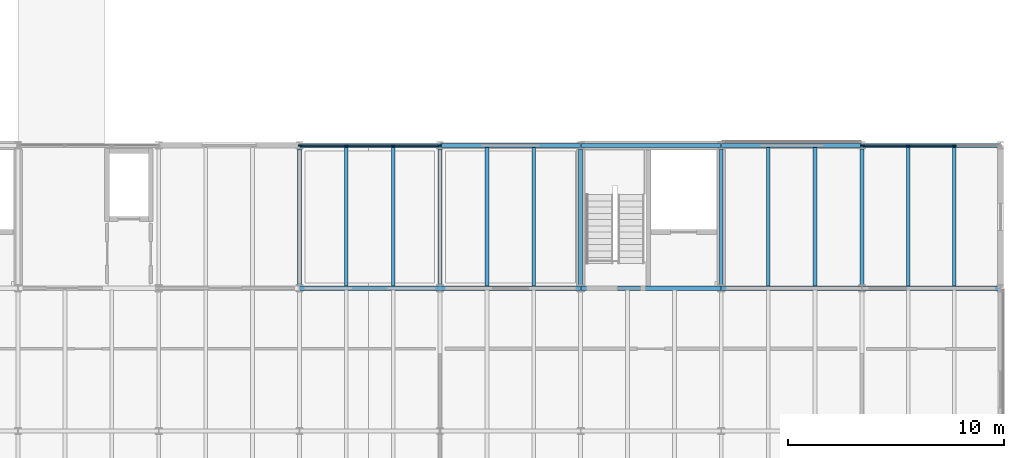
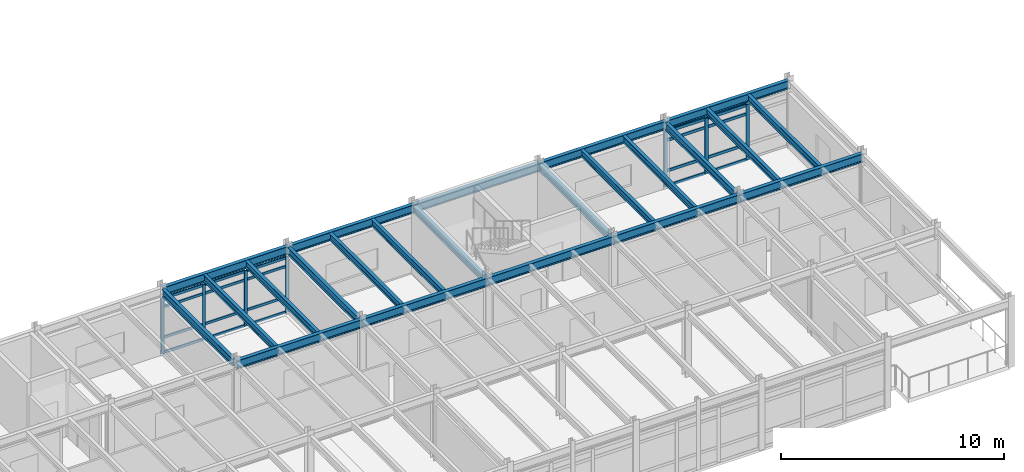
# One storey, part 24 of 49: 27 members, 23 beams, 2 elements without a shape of their own.
"""IFC4 building model written with IfcOpenShell, lengths in metres."""

from ifc_helpers import new_model, si_unit, direction, frame, origin, origin_2d, place, context, subcontext, project, spatial, rectangle, i_section, extrude, material, layer, layer_set, material_profile, profile_set, type_object, element, aggregate, save


model = new_model("IFC4")

# Units and contexts
model_context = context("Model", 3, precision=1e-05, world=origin(), true_north=direction((0.0, 1.0)))
body_context = subcontext(model_context, "Body", "Model", "MODEL_VIEW")
ifc_project = project(units=[si_unit("LENGTHUNIT", "METRE"), si_unit("AREAUNIT", "SQUARE_METRE"), si_unit("VOLUMEUNIT", "CUBIC_METRE"), si_unit("PLANEANGLEUNIT", "RADIAN"), si_unit("MASSUNIT", "GRAM", prefix="KILO")], contexts=[model_context])

# Site, building, storey
site_placement = place(None, origin())
site = spatial("IfcSite", under=ifc_project, at=site_placement, CompositionType="ELEMENT")
building_placement = place(site_placement, origin())
building = spatial("IfcBuilding", under=site, at=building_placement, Name="Trelmorton Wharf Fire Station", CompositionType="ELEMENT")
storey_placement = place(building_placement, frame((0.0, 0.0, 9.60009765625)))
storey = spatial("IfcBuildingStorey", under=building, at=storey_placement, Name="L02", CompositionType="ELEMENT", Elevation=9.60009765625)

# Beams
ifc_material_1 = material(Name="Steel Grade 350", Category="steel")
ifc_material_profile_1 = material_profile(ifc_material_1, i_section(OverallWidth=0.177978515625, OverallDepth=0.406005859375, WebThickness=0.0078125, FlangeThickness=0.0126953125, FilletRadius=0.011474609375, at=origin_2d()), Name="410UB59.7")
ifc_profile_set_1 = profile_set([ifc_material_profile_1], Name="Steel Grade 350")
beam_type_1 = type_object("IfcBeamType", Name="BM_410UB60", PredefinedType="BEAM", material=ifc_profile_set_1)
for number, where, z_axis, x_axis, name in (
    (1, (130.0, 21.156494140625, 3.427001953125), (0.0, 1.0, 0.0), (-1.0, 0.0, 0.0), "BM-L02-0839"),
    (2, (136.5, 21.156494140625, 3.427001953125), (0.0, 1.0, 0.0), (-1.0, 0.0, 0.0), "BM-L02-0845"),
    (3, (143.0, 21.156494140625, 3.427001953125), (0.0, 1.0, 0.0), (-1.0, 0.0, 0.0), "BM-L02-0851"),
    (4, (149.5, 21.156494140625, 3.427001953125), (0.0, 1.0, 0.0), (-1.0, 0.0, 0.0), "BM-L02-0857"),
    (5, (156.0, 21.156494140625, 3.427001953125), (0.0, 1.0, 0.0), (-1.0, 0.0, 0.0), "BM-L02-0863"),
):
    element("IfcBeam", number, at=place(storey_placement, frame(where, z_axis=z_axis, x_axis=x_axis)), inside=storey, type_object=beam_type_1, Name=name, PredefinedType="BEAM", context=body_context, shape_type="SweptSolid", body=[
        extrude(i_section(OverallWidth=0.177978515625, OverallDepth=0.406005859375, WebThickness=0.0078125, FlangeThickness=0.0126953125, FilletRadius=0.011474609375, at=origin_2d()), origin(), (0.0, 0.0, 1.0), 6.287109375),
    ])
ifc_material_profile_2 = material_profile(ifc_material_1, i_section(OverallWidth=0.19091796875, OverallDepth=0.4599609375, WebThickness=0.010009765625, FlangeThickness=0.01611328125, FilletRadius=0.011474609375, at=origin_2d()), Name="460UB82.1")
ifc_profile_set_2 = profile_set([ifc_material_profile_2], Name="Steel Grade 350")
beam_type_2 = type_object("IfcBeamType", Name="BM_460UB82", PredefinedType="BEAM", material=ifc_profile_set_2)
for number, where, z_axis, x_axis, name in (
    (6, (130.0048828125, 21.0, 3.39990234375), (1.0, 0.0, 0.0), (0.0, 1.0, 0.0), "BM-L02-0712"),
    (7, (136.5048828125, 21.0, 3.39990234375), (1.0, 0.0, 0.0), (0.0, 1.0, 0.0), "BM-L02-0713"),
    (8, (143.0048828125, 21.0, 3.39990234375), (1.0, 0.0, 0.0), (0.0, 1.0, 0.0), "BM-L02-0714"),
    (9, (149.5048828125, 21.0, 3.39990234375), (1.0, 0.0, 0.0), (0.0, 1.0, 0.0), "BM-L02-0715"),
):
    element("IfcBeam", number, at=place(storey_placement, frame(where, z_axis=z_axis, x_axis=x_axis)), inside=storey, type_object=beam_type_2, Name=name, PredefinedType="BEAM", context=body_context, shape_type="SweptSolid", body=[
        extrude(i_section(OverallWidth=0.19091796875, OverallDepth=0.4599609375, WebThickness=0.010009765625, FlangeThickness=0.01611328125, FilletRadius=0.011474609375, at=origin_2d()), origin(), (0.0, 0.0, 1.0), 6.490234375),
    ])
beam_1_placement = place(storey_placement, frame((156.0048828125, 21.0, 3.39990234375), z_axis=(1.0, 0.0, 0.0), x_axis=(0.0, 1.0, 0.0)))
element("IfcBeam", 10, at=beam_1_placement, inside=storey, type_object=beam_type_2, Name="BM-L02-0716", PredefinedType="BEAM", context=body_context, shape_type="SweptSolid", body=[
    extrude(i_section(OverallWidth=0.19091796875, OverallDepth=0.4599609375, WebThickness=0.010009765625, FlangeThickness=0.01611328125, FilletRadius=0.011474609375, at=origin_2d()), origin(), (0.0, 0.0, 1.0), 6.39013671875),
])

# Curtain wall, members
ifc_material_2 = material(Name="Anodised aluminium AW-6063", Category="aluminium")
ifc_layer = layer(ifc_material_2, 0.14990234375)
ifc_layer_set = layer_set([ifc_layer], Name="Anodised aluminium AW-6063")
curtain_wall_type = type_object("IfcCurtainWallType", Name="CW_UNIT_A", PredefinedType="USERDEFINED", material=ifc_layer_set)
curtain_wall_1_placement = place(storey_placement, origin())
curtain_wall_1 = element("IfcCurtainWall", 11, at=curtain_wall_1_placement, inside=storey, type_object=curtain_wall_type, Name="CW-V5-L02-059", ObjectType="UNITISED CURTAIN WALL", PredefinedType="USERDEFINED")
ifc_material_profile_3 = material_profile(ifc_material_2, rectangle(XDim=0.06494140625, YDim=0.159912109375, at=origin_2d()), Name="ALU-65x160")
ifc_profile_set_3 = profile_set([ifc_material_profile_3], Name="Anodised aluminium AW-6063")
member_type_1 = type_object("IfcMemberType", Name="CWM_65x160", PredefinedType="MULLION", material=ifc_profile_set_3)
member_1_placement = place(storey_placement, frame((130.034912109375, 27.60009765625, 0.0), z_axis=(0.0, 0.0, 1.0), x_axis=(0.0, 1.0, 0.0)))
member_1 = element("IfcMember", 12, at=member_1_placement, type_object=member_type_1, Name="CW3 mullion 1", PredefinedType="MULLION", context=body_context, shape_type="SweptSolid", body=[
    extrude(rectangle(XDim=0.06494140625, YDim=0.159912109375, at=origin_2d()), origin(), (0.0, 0.0, 1.0), 3.02001953125),
])
member_2_placement = place(storey_placement, frame((132.168212890625, 27.60009765625, 0.0), z_axis=(0.0, 0.0, 1.0), x_axis=(0.0, 1.0, 0.0)))
member_2 = element("IfcMember", 13, at=member_2_placement, type_object=member_type_1, Name="CW3 mullion 2", PredefinedType="MULLION", context=body_context, shape_type="SweptSolid", body=[
    extrude(rectangle(XDim=0.06494140625, YDim=0.159912109375, at=origin_2d()), origin(), (0.0, 0.0, 1.0), 3.02001953125),
])
member_3_placement = place(storey_placement, frame((134.331787109375, 27.60009765625, 0.0), z_axis=(0.0, 0.0, 1.0), x_axis=(0.0, 1.0, 0.0)))
member_3 = element("IfcMember", 14, at=member_3_placement, type_object=member_type_1, Name="CW3 mullion 3", PredefinedType="MULLION", context=body_context, shape_type="SweptSolid", body=[
    extrude(rectangle(XDim=0.06494140625, YDim=0.159912109375, at=origin_2d()), origin(), (0.0, 0.0, 1.0), 3.02001953125),
])
member_4_placement = place(storey_placement, frame((136.465087890625, 27.60009765625, 0.0), z_axis=(0.0, 0.0, 1.0), x_axis=(0.0, 1.0, 0.0)))
member_4 = element("IfcMember", 15, at=member_4_placement, type_object=member_type_1, Name="CW3 mullion 4", PredefinedType="MULLION", context=body_context, shape_type="SweptSolid", body=[
    extrude(rectangle(XDim=0.06494140625, YDim=0.159912109375, at=origin_2d()), origin(), (0.0, 0.0, 1.0), 3.02001953125),
])

curtain_wall_2_placement = place(storey_placement, origin())
curtain_wall_2 = element("IfcCurtainWall", 16, at=curtain_wall_2_placement, inside=storey, type_object=curtain_wall_type, Name="CW-V5-L02-060", ObjectType="UNITISED CURTAIN WALL", PredefinedType="USERDEFINED")
ifc_material_profile_4 = material_profile(ifc_material_2, rectangle(XDim=0.074951171875, YDim=0.175048828125, at=origin_2d()), Name="ALU-75x175")
ifc_profile_set_4 = profile_set([ifc_material_profile_4], Name="Anodised aluminium AW-6063")
member_type_2 = type_object("IfcMemberType", Name="CWM_75x175", PredefinedType="MULLION", material=ifc_profile_set_4)
member_5_placement = place(storey_placement, frame((156.034912109375, 27.60009765625, 0.0), z_axis=(0.0, 0.0, 1.0), x_axis=(0.0, 1.0, 0.0)))
member_5 = element("IfcMember", 17, at=member_5_placement, type_object=member_type_2, Name="CW3 mullion 1", PredefinedType="MULLION", context=body_context, shape_type="SweptSolid", body=[
    extrude(rectangle(XDim=0.074951171875, YDim=0.175048828125, at=origin_2d()), origin(), (0.0, 0.0, 1.0), 3.02001953125),
])
member_6_placement = place(storey_placement, frame((158.135009765625, 27.60009765625, 0.0), z_axis=(0.0, 0.0, 1.0), x_axis=(0.0, 1.0, 0.0)))
member_6 = element("IfcMember", 18, at=member_6_placement, type_object=member_type_2, Name="CW3 mullion 2", PredefinedType="MULLION", context=body_context, shape_type="SweptSolid", body=[
    extrude(rectangle(XDim=0.074951171875, YDim=0.175048828125, at=origin_2d()), origin(), (0.0, 0.0, 1.0), 3.02001953125),
])
member_7_placement = place(storey_placement, frame((160.264892578125, 27.60009765625, 0.0), z_axis=(0.0, 0.0, 1.0), x_axis=(0.0, 1.0, 0.0)))
member_7 = element("IfcMember", 19, at=member_7_placement, type_object=member_type_2, Name="CW3 mullion 3", PredefinedType="MULLION", context=body_context, shape_type="SweptSolid", body=[
    extrude(rectangle(XDim=0.074951171875, YDim=0.175048828125, at=origin_2d()), origin(), (0.0, 0.0, 1.0), 3.02001953125),
])

# Member
ifc_material_profile_5 = material_profile(ifc_material_2, rectangle(XDim=0.06494140625, YDim=0.139892578125, at=origin_2d()), Name="ALU-65x140")
ifc_profile_set_5 = profile_set([ifc_material_profile_5], Name="Anodised aluminium AW-6063")
member_type_3 = type_object("IfcMemberType", Name="CWT_65x140", PredefinedType="USERDEFINED", material=ifc_profile_set_5)
member_8_placement = place(storey_placement, frame((130.06494140625, 27.60009765625, 0.02978515625), z_axis=(1.0, 0.0, 0.0), x_axis=(0.0, 1.0, 0.0)))
member_8 = element("IfcMember", 20, at=member_8_placement, type_object=member_type_3, Name="CW3 transom 1.1", ObjectType="TRANSOM", PredefinedType="USERDEFINED", context=body_context, shape_type="SweptSolid", body=[
    extrude(rectangle(XDim=0.06494140625, YDim=0.139892578125, at=origin_2d()), origin(), (0.0, 0.0, 1.0), 2.073486328125),
])

member_9_placement = place(storey_placement, frame((130.06494140625, 27.60009765625, 0.849853515625), z_axis=(1.0, 0.0, 0.0), x_axis=(0.0, 1.0, 0.0)))
member_9 = element("IfcMember", 21, at=member_9_placement, type_object=member_type_3, Name="CW3 transom 1.2", ObjectType="TRANSOM", PredefinedType="USERDEFINED", context=body_context, shape_type="SweptSolid", body=[
    extrude(rectangle(XDim=0.06494140625, YDim=0.139892578125, at=origin_2d()), origin(), (0.0, 0.0, 1.0), 2.073486328125),
])

member_10_placement = place(storey_placement, frame((130.06494140625, 27.60009765625, 2.52001953125), z_axis=(1.0, 0.0, 0.0), x_axis=(0.0, 1.0, 0.0)))
member_10 = element("IfcMember", 22, at=member_10_placement, type_object=member_type_3, Name="CW3 transom 1.3", ObjectType="TRANSOM", PredefinedType="USERDEFINED", context=body_context, shape_type="SweptSolid", body=[
    extrude(rectangle(XDim=0.06494140625, YDim=0.139892578125, at=origin_2d()), origin(), (0.0, 0.0, 1.0), 2.073486328125),
])

member_11_placement = place(storey_placement, frame((130.06494140625, 27.60009765625, 2.989990234375), z_axis=(1.0, 0.0, 0.0), x_axis=(0.0, 1.0, 0.0)))
member_11 = element("IfcMember", 23, at=member_11_placement, type_object=member_type_3, Name="CW3 transom 1.4", ObjectType="TRANSOM", PredefinedType="USERDEFINED", context=body_context, shape_type="SweptSolid", body=[
    extrude(rectangle(XDim=0.06494140625, YDim=0.139892578125, at=origin_2d()), origin(), (0.0, 0.0, 1.0), 2.073486328125),
])

member_12_placement = place(storey_placement, frame((132.1982421875, 27.60009765625, 0.02978515625), z_axis=(1.0, 0.0, 0.0), x_axis=(0.0, 1.0, 0.0)))
member_12 = element("IfcMember", 24, at=member_12_placement, type_object=member_type_3, Name="CW3 transom 2.1", ObjectType="TRANSOM", PredefinedType="USERDEFINED", context=body_context, shape_type="SweptSolid", body=[
    extrude(rectangle(XDim=0.06494140625, YDim=0.139892578125, at=origin_2d()), origin(), (0.0, 0.0, 1.0), 2.103515625),
])

member_13_placement = place(storey_placement, frame((132.1982421875, 27.60009765625, 0.849853515625), z_axis=(1.0, 0.0, 0.0), x_axis=(0.0, 1.0, 0.0)))
member_13 = element("IfcMember", 25, at=member_13_placement, type_object=member_type_3, Name="CW3 transom 2.2", ObjectType="TRANSOM", PredefinedType="USERDEFINED", context=body_context, shape_type="SweptSolid", body=[
    extrude(rectangle(XDim=0.06494140625, YDim=0.139892578125, at=origin_2d()), origin(), (0.0, 0.0, 1.0), 2.103515625),
])

member_14_placement = place(storey_placement, frame((132.1982421875, 27.60009765625, 2.52001953125), z_axis=(1.0, 0.0, 0.0), x_axis=(0.0, 1.0, 0.0)))
member_14 = element("IfcMember", 26, at=member_14_placement, type_object=member_type_3, Name="CW3 transom 2.3", ObjectType="TRANSOM", PredefinedType="USERDEFINED", context=body_context, shape_type="SweptSolid", body=[
    extrude(rectangle(XDim=0.06494140625, YDim=0.139892578125, at=origin_2d()), origin(), (0.0, 0.0, 1.0), 2.103515625),
])

member_15_placement = place(storey_placement, frame((132.1982421875, 27.60009765625, 2.989990234375), z_axis=(1.0, 0.0, 0.0), x_axis=(0.0, 1.0, 0.0)))
member_15 = element("IfcMember", 27, at=member_15_placement, type_object=member_type_3, Name="CW3 transom 2.4", ObjectType="TRANSOM", PredefinedType="USERDEFINED", context=body_context, shape_type="SweptSolid", body=[
    extrude(rectangle(XDim=0.06494140625, YDim=0.139892578125, at=origin_2d()), origin(), (0.0, 0.0, 1.0), 2.103515625),
])

member_16_placement = place(storey_placement, frame((134.361572265625, 27.60009765625, 0.02978515625), z_axis=(1.0, 0.0, 0.0), x_axis=(0.0, 1.0, 0.0)))
member_16 = element("IfcMember", 28, at=member_16_placement, type_object=member_type_3, Name="CW3 transom 3.1", ObjectType="TRANSOM", PredefinedType="USERDEFINED", context=body_context, shape_type="SweptSolid", body=[
    extrude(rectangle(XDim=0.06494140625, YDim=0.139892578125, at=origin_2d()), origin(), (0.0, 0.0, 1.0), 2.073486328125),
])

member_17_placement = place(storey_placement, frame((134.361572265625, 27.60009765625, 0.849853515625), z_axis=(1.0, 0.0, 0.0), x_axis=(0.0, 1.0, 0.0)))
member_17 = element("IfcMember", 29, at=member_17_placement, type_object=member_type_3, Name="CW3 transom 3.2", ObjectType="TRANSOM", PredefinedType="USERDEFINED", context=body_context, shape_type="SweptSolid", body=[
    extrude(rectangle(XDim=0.06494140625, YDim=0.139892578125, at=origin_2d()), origin(), (0.0, 0.0, 1.0), 2.073486328125),
])

member_18_placement = place(storey_placement, frame((134.361572265625, 27.60009765625, 2.52001953125), z_axis=(1.0, 0.0, 0.0), x_axis=(0.0, 1.0, 0.0)))
member_18 = element("IfcMember", 30, at=member_18_placement, type_object=member_type_3, Name="CW3 transom 3.3", ObjectType="TRANSOM", PredefinedType="USERDEFINED", context=body_context, shape_type="SweptSolid", body=[
    extrude(rectangle(XDim=0.06494140625, YDim=0.139892578125, at=origin_2d()), origin(), (0.0, 0.0, 1.0), 2.073486328125),
])

member_19_placement = place(storey_placement, frame((134.361572265625, 27.60009765625, 2.989990234375), z_axis=(1.0, 0.0, 0.0), x_axis=(0.0, 1.0, 0.0)))
member_19 = element("IfcMember", 31, at=member_19_placement, type_object=member_type_3, Name="CW3 transom 3.4", ObjectType="TRANSOM", PredefinedType="USERDEFINED", context=body_context, shape_type="SweptSolid", body=[
    extrude(rectangle(XDim=0.06494140625, YDim=0.139892578125, at=origin_2d()), origin(), (0.0, 0.0, 1.0), 2.073486328125),
])

aggregate(curtain_wall_1, [member_1, member_2, member_3, member_4, member_8, member_9, member_10, member_11, member_12, member_13, member_14, member_15, member_16, member_17, member_18, member_19])

ifc_material_profile_6 = material_profile(ifc_material_2, rectangle(XDim=0.074951171875, YDim=0.155029296875, at=origin_2d()), Name="ALU-75x155")
ifc_profile_set_6 = profile_set([ifc_material_profile_6], Name="Anodised aluminium AW-6063")
member_type_4 = type_object("IfcMemberType", Name="CWT_75x155", PredefinedType="USERDEFINED", material=ifc_profile_set_6)
member_20_placement = place(storey_placement, frame((156.06494140625, 27.60009765625, 0.02978515625), z_axis=(1.0, 0.0, 0.0), x_axis=(0.0, 1.0, 0.0)))
member_20 = element("IfcMember", 32, at=member_20_placement, type_object=member_type_4, Name="CW3 transom 1.1", ObjectType="TRANSOM", PredefinedType="USERDEFINED", context=body_context, shape_type="SweptSolid", body=[
    extrude(rectangle(XDim=0.074951171875, YDim=0.155029296875, at=origin_2d()), origin(), (0.0, 0.0, 1.0), 2.0400390625),
])

member_21_placement = place(storey_placement, frame((156.06494140625, 27.60009765625, 0.849853515625), z_axis=(1.0, 0.0, 0.0), x_axis=(0.0, 1.0, 0.0)))
member_21 = element("IfcMember", 33, at=member_21_placement, type_object=member_type_4, Name="CW3 transom 1.2", ObjectType="TRANSOM", PredefinedType="USERDEFINED", context=body_context, shape_type="SweptSolid", body=[
    extrude(rectangle(XDim=0.074951171875, YDim=0.155029296875, at=origin_2d()), origin(), (0.0, 0.0, 1.0), 2.0400390625),
])

member_22_placement = place(storey_placement, frame((156.06494140625, 27.60009765625, 2.52001953125), z_axis=(1.0, 0.0, 0.0), x_axis=(0.0, 1.0, 0.0)))
member_22 = element("IfcMember", 34, at=member_22_placement, type_object=member_type_4, Name="CW3 transom 1.3", ObjectType="TRANSOM", PredefinedType="USERDEFINED", context=body_context, shape_type="SweptSolid", body=[
    extrude(rectangle(XDim=0.074951171875, YDim=0.155029296875, at=origin_2d()), origin(), (0.0, 0.0, 1.0), 2.0400390625),
])

member_23_placement = place(storey_placement, frame((156.06494140625, 27.60009765625, 2.989990234375), z_axis=(1.0, 0.0, 0.0), x_axis=(0.0, 1.0, 0.0)))
member_23 = element("IfcMember", 35, at=member_23_placement, type_object=member_type_4, Name="CW3 transom 1.4", ObjectType="TRANSOM", PredefinedType="USERDEFINED", context=body_context, shape_type="SweptSolid", body=[
    extrude(rectangle(XDim=0.074951171875, YDim=0.155029296875, at=origin_2d()), origin(), (0.0, 0.0, 1.0), 2.0400390625),
])

member_24_placement = place(storey_placement, frame((158.1650390625, 27.60009765625, 0.02978515625), z_axis=(1.0, 0.0, 0.0), x_axis=(0.0, 1.0, 0.0)))
member_24 = element("IfcMember", 36, at=member_24_placement, type_object=member_type_4, Name="CW3 transom 2.1", ObjectType="TRANSOM", PredefinedType="USERDEFINED", context=body_context, shape_type="SweptSolid", body=[
    extrude(rectangle(XDim=0.074951171875, YDim=0.155029296875, at=origin_2d()), origin(), (0.0, 0.0, 1.0), 2.070068359375),
])

member_25_placement = place(storey_placement, frame((158.1650390625, 27.60009765625, 0.849853515625), z_axis=(1.0, 0.0, 0.0), x_axis=(0.0, 1.0, 0.0)))
member_25 = element("IfcMember", 37, at=member_25_placement, type_object=member_type_4, Name="CW3 transom 2.2", ObjectType="TRANSOM", PredefinedType="USERDEFINED", context=body_context, shape_type="SweptSolid", body=[
    extrude(rectangle(XDim=0.074951171875, YDim=0.155029296875, at=origin_2d()), origin(), (0.0, 0.0, 1.0), 2.070068359375),
])

member_26_placement = place(storey_placement, frame((158.1650390625, 27.60009765625, 2.52001953125), z_axis=(1.0, 0.0, 0.0), x_axis=(0.0, 1.0, 0.0)))
member_26 = element("IfcMember", 38, at=member_26_placement, type_object=member_type_4, Name="CW3 transom 2.3", ObjectType="TRANSOM", PredefinedType="USERDEFINED", context=body_context, shape_type="SweptSolid", body=[
    extrude(rectangle(XDim=0.074951171875, YDim=0.155029296875, at=origin_2d()), origin(), (0.0, 0.0, 1.0), 2.070068359375),
])

member_27_placement = place(storey_placement, frame((158.1650390625, 27.60009765625, 2.989990234375), z_axis=(1.0, 0.0, 0.0), x_axis=(0.0, 1.0, 0.0)))
member_27 = element("IfcMember", 39, at=member_27_placement, type_object=member_type_4, Name="CW3 transom 2.4", ObjectType="TRANSOM", PredefinedType="USERDEFINED", context=body_context, shape_type="SweptSolid", body=[
    extrude(rectangle(XDim=0.074951171875, YDim=0.155029296875, at=origin_2d()), origin(), (0.0, 0.0, 1.0), 2.070068359375),
])

aggregate(curtain_wall_2, [member_5, member_6, member_7, member_20, member_21, member_22, member_23, member_24, member_25, member_26, member_27])

# Beams
ifc_material_profile_7 = material_profile(ifc_material_1, i_section(OverallWidth=0.172119140625, OverallDepth=0.35888671875, WebThickness=0.008056640625, FlangeThickness=0.012939453125, FilletRadius=0.011474609375, at=origin_2d()), Name="360UB56.7")
ifc_profile_set_7 = profile_set([ifc_material_profile_7], Name="Steel Grade 350")
beam_type_3 = type_object("IfcBeamType", Name="JS_360UB57", PredefinedType="JOIST", material=ifc_profile_set_7)
for number, where, z_axis, x_axis, name in (
    (40, (132.166748046875, 21.090087890625, 3.450439453125), (0.0, 1.0, 0.0), (-1.0, 0.0, 0.0), "JS-L02-0283"),
    (41, (134.333251953125, 21.090087890625, 3.450439453125), (0.0, 1.0, 0.0), (-1.0, 0.0, 0.0), "JS-L02-0284"),
    (42, (138.666748046875, 21.090087890625, 3.450439453125), (0.0, 1.0, 0.0), (-1.0, 0.0, 0.0), "JS-L02-0295"),
    (43, (140.833251953125, 21.090087890625, 3.450439453125), (0.0, 1.0, 0.0), (-1.0, 0.0, 0.0), "JS-L02-0296"),
    (44, (151.666748046875, 21.090087890625, 3.450439453125), (0.0, 1.0, 0.0), (-1.0, 0.0, 0.0), "JS-L02-0315"),
    (45, (153.833251953125, 21.090087890625, 3.450439453125), (0.0, 1.0, 0.0), (-1.0, 0.0, 0.0), "JS-L02-0316"),
    (46, (158.13330078125, 21.090087890625, 3.450439453125), (0.0, 1.0, 0.0), (-1.0, 0.0, 0.0), "JS-L02-0327"),
    (47, (160.2666015625, 21.090087890625, 3.450439453125), (0.0, 1.0, 0.0), (-1.0, 0.0, 0.0), "JS-L02-0328"),
):
    element("IfcBeam", number, at=place(storey_placement, frame(where, z_axis=z_axis, x_axis=x_axis)), inside=storey, type_object=beam_type_3, Name=name, PredefinedType="JOIST", context=body_context, shape_type="SweptSolid", body=[
        extrude(i_section(OverallWidth=0.172119140625, OverallDepth=0.35888671875, WebThickness=0.008056640625, FlangeThickness=0.012939453125, FilletRadius=0.011474609375, at=origin_2d()), origin(), (0.0, 0.0, 1.0), 6.419921875),
    ])
ifc_material_profile_8 = material_profile(ifc_material_1, i_section(OverallWidth=0.18994140625, OverallDepth=0.45703125, WebThickness=0.009033203125, FlangeThickness=0.014404296875, FilletRadius=0.011474609375, at=origin_2d()), Name="460UB74.6")
ifc_profile_set_8 = profile_set([ifc_material_profile_8], Name="Steel Grade 350")
beam_type_4 = type_object("IfcBeamType", Name="SP_460UB75", PredefinedType="SPANDREL", material=ifc_profile_set_8)
for number, where, z_axis, x_axis, name in (
    (48, (130.0048828125, 27.60009765625, 3.4013671875), (1.0, 0.0, 0.0), (0.0, 1.0, 0.0), "BM-L02-0725"),
    (49, (136.5048828125, 27.60009765625, 3.4013671875), (1.0, 0.0, 0.0), (0.0, 1.0, 0.0), "BM-L02-0726"),
    (50, (143.0048828125, 27.60009765625, 3.4013671875), (1.0, 0.0, 0.0), (0.0, 1.0, 0.0), "BM-L02-0727"),
    (51, (149.5048828125, 27.60009765625, 3.4013671875), (1.0, 0.0, 0.0), (0.0, 1.0, 0.0), "BM-L02-0728"),
):
    element("IfcBeam", number, at=place(storey_placement, frame(where, z_axis=z_axis, x_axis=x_axis)), inside=storey, type_object=beam_type_4, Name=name, PredefinedType="SPANDREL", context=body_context, shape_type="SweptSolid", body=[
        extrude(i_section(OverallWidth=0.18994140625, OverallDepth=0.45703125, WebThickness=0.009033203125, FlangeThickness=0.014404296875, FilletRadius=0.011474609375, at=origin_2d()), origin(), (0.0, 0.0, 1.0), 6.490234375),
    ])
beam_2_placement = place(storey_placement, frame((156.0048828125, 27.60009765625, 3.4013671875), z_axis=(1.0, 0.0, 0.0), x_axis=(0.0, 1.0, 0.0)))
element("IfcBeam", 52, at=beam_2_placement, inside=storey, type_object=beam_type_4, Name="BM-L02-0729", PredefinedType="SPANDREL", context=body_context, shape_type="SweptSolid", body=[
    extrude(i_section(OverallWidth=0.18994140625, OverallDepth=0.45703125, WebThickness=0.009033203125, FlangeThickness=0.014404296875, FilletRadius=0.011474609375, at=origin_2d()), origin(), (0.0, 0.0, 1.0), 6.39013671875),
])

save(model, "model.ifc")
